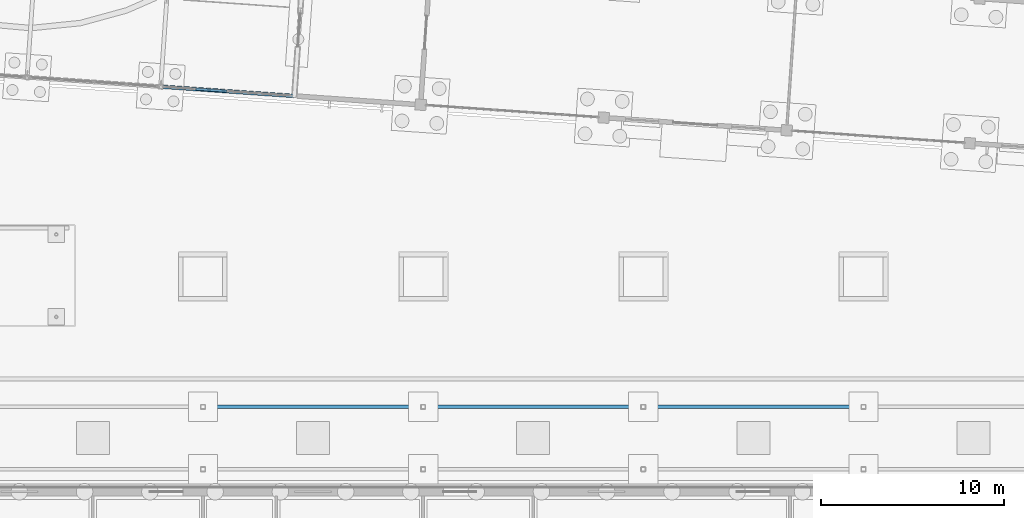
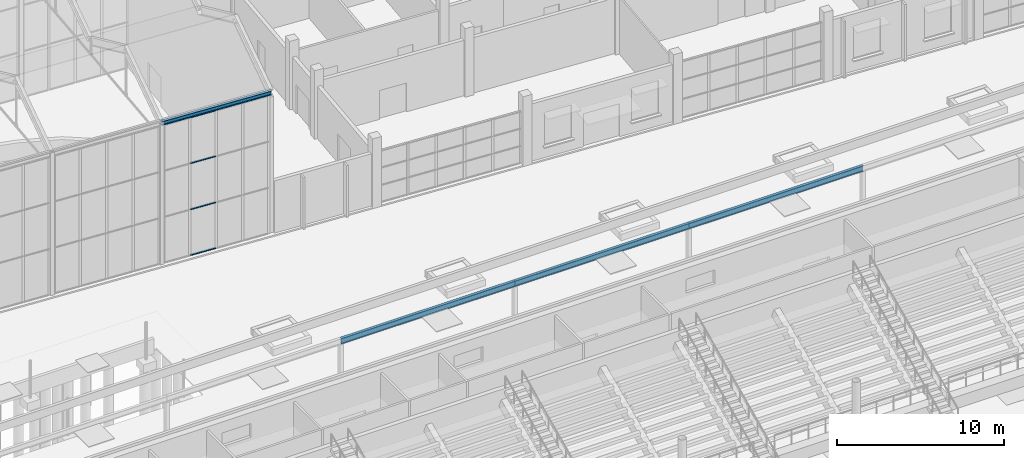
# One storey, part 48 of 157: 4 beams, 4 members, 1 element without a shape of its own.
"""IFC4 building model written with IfcOpenShell, lengths in metres."""

from ifc_helpers import new_model, si_unit, direction, frame, origin, origin_2d, place, context, subcontext, project, spatial, rectangle, i_section, extrude, material, material_profile, profile_set, type_object, element, aggregate, save


model = new_model("IFC4")

# Units and contexts
model_context = context("Model", 3, precision=1e-05, world=origin(), true_north=direction((0.0, 1.0)))
body_context = subcontext(model_context, "Body", "Model", "MODEL_VIEW")
ifc_project = project(units=[si_unit("LENGTHUNIT", "METRE"), si_unit("AREAUNIT", "SQUARE_METRE"), si_unit("VOLUMEUNIT", "CUBIC_METRE"), si_unit("PLANEANGLEUNIT", "RADIAN"), si_unit("MASSUNIT", "GRAM", prefix="KILO")], contexts=[model_context])

# Site, building, storey
site_placement = place(None, origin())
site = spatial("IfcSite", under=ifc_project, at=site_placement, CompositionType="ELEMENT")
building_placement = place(site_placement, origin())
building = spatial("IfcBuilding", under=site, at=building_placement, Name="Windward Yard Aquatics Centre", CompositionType="ELEMENT")
storey_placement = place(building_placement, origin())
storey = spatial("IfcBuildingStorey", under=building, at=storey_placement, Name="L00", CompositionType="ELEMENT", Elevation=0.0)

# Beams
ifc_material_1 = material(Name="Steel ASTM A992 Gr 50", Category="steel")
ifc_material_profile_1 = material_profile(ifc_material_1, i_section(OverallWidth=0.180908203125, OverallDepth=0.4169921875, WebThickness=0.010986328125, FlangeThickness=0.018310546875, at=origin_2d()), Name="W410X85")
ifc_profile_set_1 = profile_set([ifc_material_profile_1], Name="Steel ASTM A992 Gr 50")
beam_type_1 = type_object("IfcBeamType", Name="A beam W410X85", PredefinedType="BEAM", material=ifc_profile_set_1)
for number, where, z_axis, x_axis, name in (
    (1, (96.0, 100.39990234375, 4.1416015625), (1.0, 0.0, 0.0), (0.0, 1.0, 0.0), "A.B.2.5"),
    (2, (108.0, 100.39990234375, 4.1416015625), (1.0, 0.0, 0.0), (0.0, 1.0, 0.0), "A.B.2.6"),
    (3, (120.0, 100.39990234375, 4.1416015625), (1.0, 0.0, 0.0), (0.0, 1.0, 0.0), "A.B.2.7"),
):
    element("IfcBeam", number, at=place(storey_placement, frame(where, z_axis=z_axis, x_axis=x_axis)), inside=storey, type_object=beam_type_1, Name=name, PredefinedType="BEAM", context=body_context, shape_type="SweptSolid", body=[
        extrude(i_section(OverallWidth=0.180908203125, OverallDepth=0.4169921875, WebThickness=0.010986328125, FlangeThickness=0.018310546875, at=origin_2d()), origin(), (0.0, 0.0, 1.0), 12.0),
    ])

# Curtain wall, members
ifc_material_2 = material(Name="Aluminium curtain wall system", Category="aluminium")
curtain_wall_type = type_object("IfcCurtainWallType", Name="W curtain wall 1900", PredefinedType="NOTDEFINED", material=ifc_material_2)
curtain_wall_placement = place(storey_placement, origin())
curtain_wall = element("IfcCurtainWall", 4, at=curtain_wall_placement, inside=storey, type_object=curtain_wall_type, Name="Wing south glazing L00 7", PredefinedType="NOTDEFINED")
ifc_material_3 = material(Name="Aluminium transom", Category="aluminium")
ifc_material_profile_2 = material_profile(ifc_material_3, rectangle(XDim=0.1201171875, YDim=0.06005859375, at=origin_2d()), Name="AL 120x60")
ifc_profile_set_2 = profile_set([ifc_material_profile_2], Name="Aluminium transom")
member_type = type_object("IfcMemberType", Name="W CW transom 120x60", PredefinedType="USERDEFINED", material=ifc_profile_set_2)
member_1_placement = place(storey_placement, frame((95.60595703125, 117.72216796875, 0.030029296875), z_axis=(0.997569285861, -0.069681560738, 0.0), x_axis=(0.069681560738, 0.997569285861, 0.0)))
member_1 = element("IfcMember", 5, at=member_1_placement, type_object=member_type, Name="WCW1 transom 2.1", ObjectType="TRANSOM", PredefinedType="USERDEFINED", context=body_context, shape_type="SweptSolid", body=[
    extrude(rectangle(XDim=0.1201171875, YDim=0.06005859375, at=origin_2d()), origin(), (0.0, 0.0, 1.0), 1.69580078125),
])
member_2_placement = place(storey_placement, frame((95.60595703125, 117.72216796875, 3.365966796875), z_axis=(0.997569285861, -0.069681560738, 0.0), x_axis=(0.069681560738, 0.997569285861, 0.0)))
member_2 = element("IfcMember", 6, at=member_2_placement, type_object=member_type, Name="WCW1 transom 2.2", ObjectType="TRANSOM", PredefinedType="USERDEFINED", context=body_context, shape_type="SweptSolid", body=[
    extrude(rectangle(XDim=0.1201171875, YDim=0.06005859375, at=origin_2d()), origin(), (0.0, 0.0, 1.0), 1.69580078125),
])
member_3_placement = place(storey_placement, frame((95.60595703125, 117.72216796875, 6.73193359375), z_axis=(0.997569285861, -0.069681560738, 0.0), x_axis=(0.069681560738, 0.997569285861, 0.0)))
member_3 = element("IfcMember", 7, at=member_3_placement, type_object=member_type, Name="WCW1 transom 2.3", ObjectType="TRANSOM", PredefinedType="USERDEFINED", context=body_context, shape_type="SweptSolid", body=[
    extrude(rectangle(XDim=0.1201171875, YDim=0.06005859375, at=origin_2d()), origin(), (0.0, 0.0, 1.0), 1.69580078125),
])
member_4_placement = place(storey_placement, frame((95.60595703125, 117.72216796875, 10.068115234375), z_axis=(0.997569285861, -0.069681560738, 0.0), x_axis=(0.069681560738, 0.997569285861, 0.0)))
member_4 = element("IfcMember", 8, at=member_4_placement, type_object=member_type, Name="WCW1 transom 2.4", ObjectType="TRANSOM", PredefinedType="USERDEFINED", context=body_context, shape_type="SweptSolid", body=[
    extrude(rectangle(XDim=0.1201171875, YDim=0.06005859375, at=origin_2d()), origin(), (0.0, 0.0, 1.0), 1.69580078125),
])
aggregate(curtain_wall, [member_1, member_2, member_3, member_4])

# Beam
ifc_material_4 = material(Name="Steel S355", Category="steel")
ifc_material_profile_3 = material_profile(ifc_material_4, i_section(OverallWidth=0.202880859375, OverallDepth=0.302001953125, WebThickness=0.007568359375, FlangeThickness=0.01318359375, at=origin_2d()), Name="W310x60")
ifc_profile_set_3 = profile_set([ifc_material_profile_3], Name="Steel S355")
beam_type_2 = type_object("IfcBeamType", Name="W W310x60 beam", PredefinedType="BEAM", material=ifc_profile_set_3)
beam_placement = place(storey_placement, frame((93.69775390625, 117.855712890625, 10.2490234375), z_axis=(0.997563531133, -0.069763897209, 0.0), x_axis=(0.069763897209, 0.997563531133, 0.0)))
element("IfcBeam", 9, at=beam_placement, inside=storey, type_object=beam_type_2, Name="W.HEB.S.4", PredefinedType="BEAM", context=body_context, shape_type="SweptSolid", body=[
    extrude(i_section(OverallWidth=0.202880859375, OverallDepth=0.302001953125, WebThickness=0.007568359375, FlangeThickness=0.01318359375, at=origin_2d()), origin(), (0.0, 0.0, 1.0), 7.300048828125),
])

save(model, "model.ifc")
